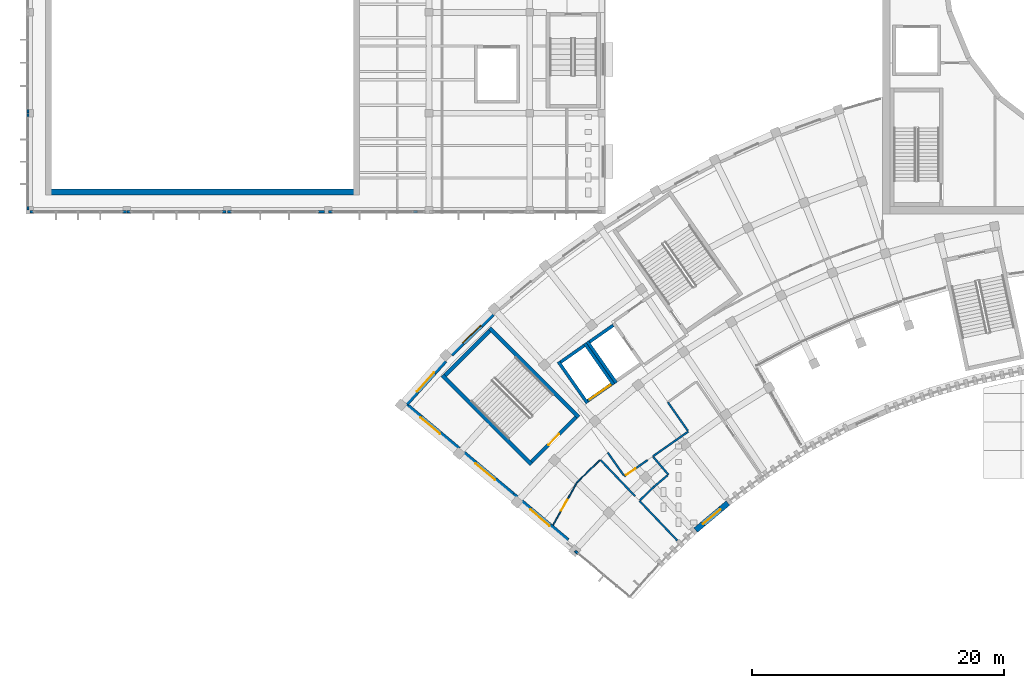
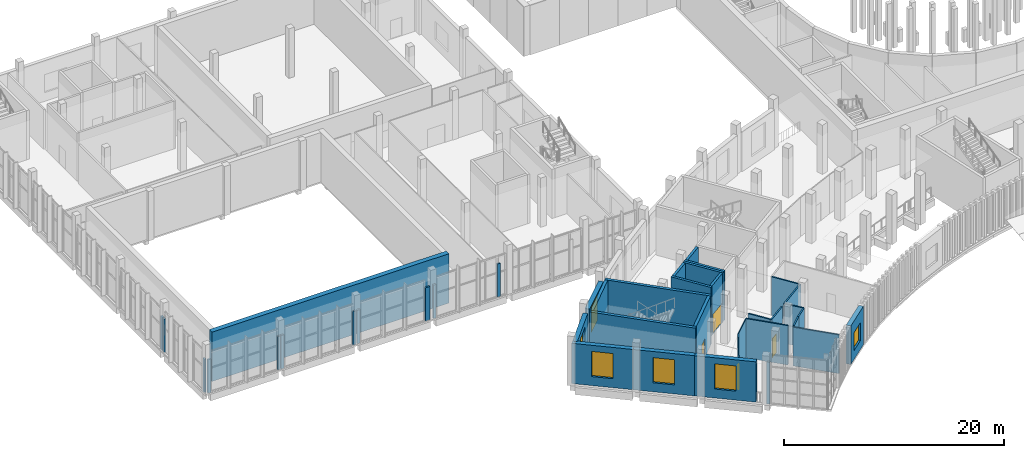
# One storey, part 53 of 112: 40 walls, 6 windows, 4 doors, 10 openings.
"""IFC4 building model written with IfcOpenShell, lengths in metres."""

from ifc_helpers import new_model, si_unit, direction, frame, frame_2d, origin, place, context, subcontext, project, spatial, rectangle, extrude, material, layer, layer_set, type_object, element, fill, save


model = new_model("IFC4")

# Units and contexts
model_context = context("Model", 3, precision=1e-05, world=origin(), true_north=direction((0.0, 1.0)))
body_context = subcontext(model_context, "Body", "Model", "MODEL_VIEW")
ifc_project = project(units=[si_unit("LENGTHUNIT", "METRE"), si_unit("AREAUNIT", "SQUARE_METRE"), si_unit("VOLUMEUNIT", "CUBIC_METRE"), si_unit("PLANEANGLEUNIT", "RADIAN"), si_unit("MASSUNIT", "GRAM", prefix="KILO")], contexts=[model_context])

# Site, building, storey
site_placement = place(None, origin())
site = spatial("IfcSite", under=ifc_project, at=site_placement, CompositionType="ELEMENT")
building_placement = place(site_placement, origin())
building = spatial("IfcBuilding", under=site, at=building_placement, Name="Lunette Opera House", CompositionType="ELEMENT")
storey_placement = place(building_placement, frame((0.0, 0.0, 6.0)))
storey = spatial("IfcBuildingStorey", under=building, at=storey_placement, Name="L01", CompositionType="ELEMENT", Elevation=6.0)

# Wall, opening, window
ifc_material_1 = material(Name="Clinker brick", Category="masonry")
ifc_layer_1 = layer(ifc_material_1, 0.449951171875)
ifc_layer_set_1 = layer_set([ifc_layer_1], Name="Clinker brick")
wall_type_1 = type_object("IfcWallType", Name="ARM END WALL 450", PredefinedType="SOLIDWALL", material=ifc_layer_set_1)
wall_1_placement = place(storey_placement, frame((50.987060546875, 38.06494140625, 0.0), z_axis=(0.0, 0.0, 1.0), x_axis=(-0.766076229388, 0.642749726384, 0.0)))
wall_1 = element("IfcWall", 1, at=wall_1_placement, inside=storey, type_object=wall_type_1, Name="Arm End Wall 450 EN-W1 L01", PredefinedType="SOLIDWALL", context=body_context, shape_type="SweptSolid", body=[
    extrude(rectangle(XDim=5.68359375, YDim=0.449951171875, at=frame_2d((2.841796875, 0.0))), origin(), (0.0, 0.0, 1.0), 4.47998046875),
])
opening_1_placement = place(wall_1_placement, frame((1.842041015625, 0.0, 1.0)))
opening_1 = element("IfcOpeningElement", 2, at=opening_1_placement, cuts=wall_1, Name="Opening FC-N2080", PredefinedType="OPENING", context=body_context, shape_type="SweptSolid", body=[
    extrude(rectangle(XDim=2.0, YDim=2.800048828125, at=frame_2d((1.0, 1.39990234375))), frame((0.0, 0.237060546875, 0.0), z_axis=(0.0, -1.0, 0.0), x_axis=(1.0, 0.0, 0.0)), (0.0, 0.0, 1.0), 0.473876953125),
])
ifc_material_2 = material(Name="Aluminium", Category="aluminium")
window_type_1 = type_object("IfcWindowType", Name="ARM WINDOW 2000 X 2800", PartitioningType="DOUBLE_PANEL_VERTICAL", PredefinedType="WINDOW", material=ifc_material_2)
window_1_placement = place(opening_1_placement, origin())
window_1 = element("IfcWindow", 3, at=window_1_placement, inside=storey, type_object=window_type_1, Name="Arm Window 2000 X 2800 EN-W1 L01", OverallHeight=2.800048828125, OverallWidth=2.0, PartitioningType="DOUBLE_PANEL_VERTICAL", PredefinedType="WINDOW", context=body_context, shape_type="SweptSolid", body=[
    extrude(rectangle(XDim=2.0, YDim=2.800048828125, at=frame_2d((1.0, 1.39990234375))), frame((0.0, 0.030029296875, 0.0), z_axis=(0.0, -1.0, 0.0), x_axis=(1.0, 0.0, 0.0)), (0.0, 0.0, 1.0), 0.06005859375),
])
fill(opening_1, window_1)

wall_2_placement = place(storey_placement, frame((46.633056640625, 41.718017578125, 0.0), z_axis=(0.0, 0.0, 1.0), x_axis=(-0.766076229388, 0.642749726384, 0.0)))
wall_2 = element("IfcWall", 4, at=wall_2_placement, inside=storey, type_object=wall_type_1, Name="Arm End Wall 450 EN-W2 L01", PredefinedType="SOLIDWALL", context=body_context, shape_type="SweptSolid", body=[
    extrude(rectangle(XDim=5.68359375, YDim=0.449951171875, at=frame_2d((2.841796875, 0.0))), origin(), (0.0, 0.0, 1.0), 4.47998046875),
])
opening_2_placement = place(wall_2_placement, frame((1.842041015625, 0.0, 1.0)))
opening_2 = element("IfcOpeningElement", 5, at=opening_2_placement, cuts=wall_2, Name="Opening FC-N2081", PredefinedType="OPENING", context=body_context, shape_type="SweptSolid", body=[
    extrude(rectangle(XDim=2.0, YDim=2.800048828125, at=frame_2d((1.0, 1.39990234375))), frame((0.0, 0.237060546875, 0.0), z_axis=(0.0, -1.0, 0.0), x_axis=(1.0, 0.0, 0.0)), (0.0, 0.0, 1.0), 0.473876953125),
])
window_2_placement = place(opening_2_placement, origin())
window_2 = element("IfcWindow", 6, at=window_2_placement, inside=storey, type_object=window_type_1, Name="Arm Window 2000 X 2800 EN-W2 L01", OverallHeight=2.800048828125, OverallWidth=2.0, PartitioningType="DOUBLE_PANEL_VERTICAL", PredefinedType="WINDOW", context=body_context, shape_type="SweptSolid", body=[
    extrude(rectangle(XDim=2.0, YDim=2.800048828125, at=frame_2d((1.0, 1.39990234375))), frame((0.0, 0.030029296875, 0.0), z_axis=(0.0, -1.0, 0.0), x_axis=(1.0, 0.0, 0.0)), (0.0, 0.0, 1.0), 0.06005859375),
])
fill(opening_2, window_2)

wall_3_placement = place(storey_placement, frame((42.279052734375, 45.37109375, 0.0), z_axis=(0.0, 0.0, 1.0), x_axis=(-0.766097380859, 0.642724515668, 0.0)))
wall_3 = element("IfcWall", 7, at=wall_3_placement, inside=storey, type_object=wall_type_1, Name="Arm End Wall 450 EN-W3 L01", PredefinedType="SOLIDWALL", context=body_context, shape_type="SweptSolid", body=[
    extrude(rectangle(XDim=5.683349609375, YDim=0.449951171875, at=frame_2d((2.841796875, 0.0))), origin(), (0.0, 0.0, 1.0), 4.47998046875),
])
opening_3_placement = place(wall_3_placement, frame((1.842041015625, 0.0, 1.0)))
opening_3 = element("IfcOpeningElement", 8, at=opening_3_placement, cuts=wall_3, Name="Opening FC-N2082", PredefinedType="OPENING", context=body_context, shape_type="SweptSolid", body=[
    extrude(rectangle(XDim=2.0, YDim=2.800048828125, at=frame_2d((1.0, 1.39990234375))), frame((0.0, 0.237060546875, 0.0), z_axis=(0.0, -1.0, 0.0), x_axis=(1.0, 0.0, 0.0)), (0.0, 0.0, 1.0), 0.473876953125),
])
window_3_placement = place(opening_3_placement, origin())
window_3 = element("IfcWindow", 9, at=window_3_placement, inside=storey, type_object=window_type_1, Name="Arm Window 2000 X 2800 EN-W3 L01", OverallHeight=2.800048828125, OverallWidth=2.0, PartitioningType="DOUBLE_PANEL_VERTICAL", PredefinedType="WINDOW", context=body_context, shape_type="SweptSolid", body=[
    extrude(rectangle(XDim=2.0, YDim=2.800048828125, at=frame_2d((1.0, 1.39990234375))), frame((0.0, 0.030029296875, 0.0), z_axis=(0.0, -1.0, 0.0), x_axis=(1.0, 0.0, 0.0)), (0.0, 0.0, 1.0), 0.06005859375),
])
fill(opening_3, window_3)

ifc_material_3 = material(Name="Clinker brick", Category="masonry")
ifc_layer_2 = layer(ifc_material_3, 0.449951171875)
ifc_layer_set_2 = layer_set([ifc_layer_2], Name="Clinker brick")
wall_type_2 = type_object("IfcWallType", Name="ARM RAIN SCREEN WALL 450", PredefinedType="SOLIDWALL", material=ifc_layer_set_2)
wall_4_placement = place(storey_placement, frame((38.18701171875, 48.967041015625, 0.0), z_axis=(0.0, 0.0, 1.0), x_axis=(0.669114598818, 0.74315923842, 0.0)))
wall_4 = element("IfcWall", 10, at=wall_4_placement, inside=storey, type_object=wall_type_2, Name="Arm Rain Screen Wall 450 BW-CW01 L01", PredefinedType="SOLIDWALL", context=body_context, shape_type="SweptSolid", body=[
    extrude(rectangle(XDim=4.589599609375, YDim=0.449951171875, at=frame_2d((2.294921875, 0.0))), origin(), (0.0, 0.0, 1.0), 4.47998046875),
])
opening_4_placement = place(wall_4_placement, frame((1.294921875, 0.0, 1.0)))
opening_4 = element("IfcOpeningElement", 11, at=opening_4_placement, cuts=wall_4, Name="Opening FC-N2108", PredefinedType="OPENING", context=body_context, shape_type="SweptSolid", body=[
    extrude(rectangle(XDim=2.0, YDim=2.800048828125, at=frame_2d((1.0, 1.39990234375))), frame((0.0, 0.237060546875, 0.0), z_axis=(0.0, -1.0, 0.0), x_axis=(1.0, 0.0, 0.0)), (0.0, 0.0, 1.0), 0.473876953125),
])
window_4_placement = place(opening_4_placement, origin())
window_4 = element("IfcWindow", 12, at=window_4_placement, inside=storey, type_object=window_type_1, Name="Arm Window 2000 X 2800 BW-CW01 L01", OverallHeight=2.800048828125, OverallWidth=2.0, PartitioningType="DOUBLE_PANEL_VERTICAL", PredefinedType="WINDOW", context=body_context, shape_type="SweptSolid", body=[
    extrude(rectangle(XDim=2.0, YDim=2.800048828125, at=frame_2d((1.0, 1.39990234375))), frame((0.0, 0.030029296875, 0.0), z_axis=(0.0, -1.0, 0.0), x_axis=(1.0, 0.0, 0.0)), (0.0, 0.0, 1.0), 0.06005859375),
])
fill(opening_4, window_4)

wall_5_placement = place(storey_placement, frame((41.743896484375, 52.881103515625, 0.0), z_axis=(0.0, 0.0, 1.0), x_axis=(0.71931528768, 0.694683753164, 0.0)))
wall_5 = element("IfcWall", 13, at=wall_5_placement, inside=storey, type_object=wall_type_2, Name="Arm Rain Screen Wall 450 BW-CW02 L01", PredefinedType="SOLIDWALL", context=body_context, shape_type="SweptSolid", body=[
    extrude(rectangle(XDim=4.589111328125, YDim=0.449951171875, at=frame_2d((2.29443359375, 0.0))), origin(), (0.0, 0.0, 1.0), 4.47998046875),
])
opening_5_placement = place(wall_5_placement, frame((1.294921875, 0.0, 1.0)))
opening_5 = element("IfcOpeningElement", 14, at=opening_5_placement, cuts=wall_5, Name="Opening FC-N2112", PredefinedType="OPENING", context=body_context, shape_type="SweptSolid", body=[
    extrude(rectangle(XDim=2.0, YDim=2.800048828125, at=frame_2d((1.0, 1.39990234375))), frame((0.0, 0.237060546875, 0.0), z_axis=(0.0, -1.0, 0.0), x_axis=(1.0, 0.0, 0.0)), (0.0, 0.0, 1.0), 0.473876953125),
])
window_5_placement = place(opening_5_placement, origin())
window_5 = element("IfcWindow", 15, at=window_5_placement, inside=storey, type_object=window_type_1, Name="Arm Window 2000 X 2800 BW-CW02 L01", OverallHeight=2.800048828125, OverallWidth=2.0, PartitioningType="DOUBLE_PANEL_VERTICAL", PredefinedType="WINDOW", context=body_context, shape_type="SweptSolid", body=[
    extrude(rectangle(XDim=2.0, YDim=2.800048828125, at=frame_2d((1.0, 1.39990234375))), frame((0.0, 0.030029296875, 0.0), z_axis=(0.0, -1.0, 0.0), x_axis=(1.0, 0.0, 0.0)), (0.0, 0.0, 1.0), 0.06005859375),
])
fill(opening_5, window_5)

# Walls
ifc_material_4 = material(Name="Plastered clay blockwork", Category="masonry")
ifc_layer_3 = layer(ifc_material_4, 0.14990234375)
ifc_layer_set_3 = layer_set([ifc_layer_3], Name="Plastered clay blockwork")
wall_type_3 = type_object("IfcWallType", Name="BLOCK PARTITION 150", PredefinedType="PARTITIONING", material=ifc_layer_set_3)
wall_6_placement = place(storey_placement, frame((59.714111328125, 38.0810546875, 0.0), z_axis=(0.0, 0.0, 1.0), x_axis=(-0.689987450542, 0.723821330229, 0.0)))
element("IfcWall", 16, at=wall_6_placement, inside=storey, type_object=wall_type_3, Name="Partition Press Room", PredefinedType="PARTITIONING", context=body_context, shape_type="SweptSolid", body=[
    extrude(rectangle(XDim=4.365478515625, YDim=0.14990234375, at=frame_2d((2.1826171875, 0.0))), origin(), (0.0, 0.0, 1.0), 4.300048828125),
])
wall_7_placement = place(storey_placement, frame((56.35693359375, 41.60302734375, 0.0), z_axis=(0.0, 0.0, 1.0), x_axis=(-0.68986253999, 0.723940381467, 0.0)))
element("IfcWall", 17, at=wall_7_placement, inside=storey, type_object=wall_type_3, Name="Partition Press Room", PredefinedType="PARTITIONING", context=body_context, shape_type="SweptSolid", body=[
    extrude(rectangle(XDim=3.99755859375, YDim=0.14990234375, at=frame_2d((1.998779296875, 0.0))), origin(), (0.0, 0.0, 1.0), 4.3798828125),
])
wall_8_placement = place(storey_placement, frame((60.5859375, 46.739990234375, 0.0), z_axis=(0.0, 0.0, 1.0), x_axis=(-0.819142019814, -0.573590752519, 0.0)))
element("IfcWall", 18, at=wall_8_placement, inside=storey, type_object=wall_type_3, Name="Partition Public WC L01", PredefinedType="PARTITIONING", context=body_context, shape_type="SweptSolid", body=[
    extrude(rectangle(XDim=3.445068359375, YDim=0.14990234375, at=frame_2d((1.72265625, 0.0))), origin(), (0.0, 0.0, 1.0), 4.3798828125),
])
wall_9_placement = place(storey_placement, frame((58.9609375, 49.06103515625, 0.0), z_axis=(0.0, 0.0, 1.0), x_axis=(0.573634626446, -0.819111296066, 0.0)))
element("IfcWall", 19, at=wall_9_placement, inside=storey, type_object=wall_type_3, Name="Partition Public WC L01", PredefinedType="PARTITIONING", context=body_context, shape_type="SweptSolid", body=[
    extrude(rectangle(XDim=2.7578125, YDim=0.14990234375, at=frame_2d((1.37890625, 0.0))), origin(), (0.0, 0.0, 1.0), 4.3798828125),
])

# Wall, opening, door
wall_10_placement = place(storey_placement, frame((57.35400390625, 44.47705078125, 0.0), z_axis=(0.0, 0.0, 1.0), x_axis=(-0.81906394147, -0.573702239654, 0.0)))
wall_10 = element("IfcWall", 20, at=wall_10_placement, inside=storey, type_object=wall_type_3, Name="Partition Accessible WC L01", PredefinedType="PARTITIONING", context=body_context, shape_type="SweptSolid", body=[
    extrude(rectangle(XDim=2.253662109375, YDim=0.14990234375, at=frame_2d((1.126953125, 0.0))), origin(), (0.0, 0.0, 1.0), 4.3798828125),
])
opening_6_placement = place(wall_10_placement, frame((1.18994140625, 0.0, 0.0)))
opening_6 = element("IfcOpeningElement", 21, at=opening_6_placement, cuts=wall_10, Name="Opening FC-D3031", PredefinedType="OPENING", context=body_context, shape_type="SweptSolid", body=[
    extrude(rectangle(XDim=0.89990234375, YDim=2.10009765625, at=frame_2d((0.449951171875, 1.050048828125))), frame((0.0, 0.0869140625, 0.0), z_axis=(0.0, -1.0, 0.0), x_axis=(1.0, 0.0, 0.0)), (0.0, 0.0, 1.0), 0.173828125),
])
ifc_material_5 = material(Name="Timber", Category="wood")
door_type_1 = type_object("IfcDoorType", Name="FLUSH DOOR 900 X 2100", OperationType="SINGLE_SWING_LEFT", PredefinedType="DOOR", material=ifc_material_5)
door_1_placement = place(opening_6_placement, origin())
door_1 = element("IfcDoor", 22, at=door_1_placement, inside=storey, type_object=door_type_1, Name="Accessible WC L01 door", OperationType="SINGLE_SWING_RIGHT", OverallHeight=2.10009765625, OverallWidth=0.89990234375, PredefinedType="DOOR", context=body_context, shape_type="SweptSolid", body=[
    extrude(rectangle(XDim=0.89990234375, YDim=2.10009765625, at=frame_2d((0.449951171875, 1.050048828125))), frame((0.0, 0.02490234375, 0.0), z_axis=(0.0, -1.0, 0.0), x_axis=(1.0, 0.0, 0.0)), (0.0, 0.0, 1.0), 0.050048828125),
])
fill(opening_6, door_1)

# Walls
wall_11_placement = place(storey_placement, frame((55.465087890625, 43.24609375, 0.0), z_axis=(0.0, 0.0, 1.0), x_axis=(-0.57393388112, 0.818901642508, 0.0)))
element("IfcWall", 23, at=wall_11_placement, inside=storey, type_object=wall_type_3, Name="Partition Accessible WC L01", PredefinedType="PARTITIONING", context=body_context, shape_type="SweptSolid", body=[
    extrude(rectangle(XDim=2.223388671875, YDim=0.14990234375, at=frame_2d((1.11181640625, 0.0))), origin(), (0.0, 0.0, 1.0), 4.3798828125),
])
wall_12_placement = place(storey_placement, frame((59.0, 43.31591796875, 0.0), z_axis=(0.0, 0.0, 1.0), x_axis=(-0.649360360175, 0.760480849617, 0.0)))
element("IfcWall", 24, at=wall_12_placement, inside=storey, type_object=wall_type_3, Name="Partition Accessible WC L01", PredefinedType="PARTITIONING", context=body_context, shape_type="SweptSolid", body=[
    extrude(rectangle(XDim=1.827880859375, YDim=0.14990234375, at=frame_2d((0.9140625, 0.0))), origin(), (0.0, 0.0, 1.0), 4.3798828125),
])
wall_13_placement = place(storey_placement, frame((56.756103515625, 41.29296875, 0.0), z_axis=(0.0, 0.0, 1.0), x_axis=(0.719406943096, 0.694588835373, 0.0)))
element("IfcWall", 25, at=wall_13_placement, inside=storey, type_object=wall_type_3, Name="Partition Accessible WC L01", PredefinedType="PARTITIONING", context=body_context, shape_type="SweptSolid", body=[
    extrude(rectangle(XDim=1.53466796875, YDim=0.14990234375, at=frame_2d((0.767333984375, 0.0))), origin(), (0.0, 0.0, 1.0), 4.3798828125),
])
wall_14_placement = place(storey_placement, frame((57.860107421875, 42.35888671875, 0.0), z_axis=(0.0, 0.0, 1.0), x_axis=(0.76587849312, 0.642985329363, 0.0)))
element("IfcWall", 26, at=wall_14_placement, inside=storey, type_object=wall_type_3, Name="Partition Accessible WC L01", PredefinedType="PARTITIONING", context=body_context, shape_type="SweptSolid", body=[
    extrude(rectangle(XDim=1.41259765625, YDim=0.14990234375, at=frame_2d((0.706298828125, 0.0))), origin(), (0.0, 0.0, 1.0), 4.3798828125),
])
ifc_material_6 = material(Name="Insulated aluminium sandwich panel", Category="aluminium")
ifc_layer_4 = layer(ifc_material_6, 0.179931640625)
ifc_layer_set_4 = layer_set([ifc_layer_4], Name="Insulated aluminium sandwich panel")
wall_type_4 = type_object("IfcWallType", Name="CURTAIN WALL INFILL 180", PredefinedType="SOLIDWALL", material=ifc_layer_set_4)
wall_15_placement = place(storey_placement, frame((51.837890625, 37.056884765625, 0.0), z_axis=(0.0, 0.0, 1.0), x_axis=(-0.766382097523, 0.642384994062, 0.0)))
element("IfcWall", 27, at=wall_15_placement, inside=storey, type_object=wall_type_4, Name="Curtain Wall Infill 180 IN3 L01", PredefinedType="SOLIDWALL", context=body_context, shape_type="SweptSolid", body=[
    extrude(rectangle(XDim=0.30517578125, YDim=0.179931640625, at=frame_2d((0.152587890625, 0.0))), origin(), (0.0, 0.0, 1.0), 4.64990234375),
])
wall_16_placement = place(storey_placement, frame((8.181884765625, 72.330078125, 0.0), z_axis=(0.0, 0.0, 1.0), x_axis=(0.0, -1.0, 0.0)))
element("IfcWall", 28, at=wall_16_placement, inside=storey, type_object=wall_type_4, Name="Curtain Wall Infill 180 IN44 L01", PredefinedType="SOLIDWALL", context=body_context, shape_type="SweptSolid", body=[
    extrude(rectangle(XDim=0.30517578125, YDim=0.179931640625, at=frame_2d((0.152587890625, 0.0))), origin(), (0.0, 0.0, 1.0), 3.699951171875),
])
wall_17_placement = place(storey_placement, frame((8.181884765625, 64.6298828125, 0.0), z_axis=(0.0, 0.0, 1.0), x_axis=(0.0, -1.0, 0.0)))
element("IfcWall", 29, at=wall_17_placement, inside=storey, type_object=wall_type_4, Name="Curtain Wall Infill 180 IN46 L01", PredefinedType="SOLIDWALL", context=body_context, shape_type="SweptSolid", body=[
    extrude(rectangle(XDim=0.304931640625, YDim=0.179931640625, at=frame_2d((0.15234375, 0.0))), origin(), (0.0, 0.0, 1.0), 3.699951171875),
])
for number, where, z_axis, x_axis, name in (
    (30, (8.181884765625, 71.669921875, 0.0), (0.0, 0.0, 1.0), (0.0, 1.0, 0.0), "Curtain Wall Infill 180 IN47 L01"),
    (31, (15.669921875, 64.18310546875, 0.0), (0.0, 0.0, 1.0), (1.0, 0.0, 0.0), "Curtain Wall Infill 180 IN48 L01"),
):
    element("IfcWall", number, at=place(storey_placement, frame(where, z_axis=z_axis, x_axis=x_axis)), inside=storey, type_object=wall_type_4, Name=name, PredefinedType="SOLIDWALL", context=body_context, shape_type="SweptSolid", body=[
        extrude(rectangle(XDim=0.30517578125, YDim=0.179931640625, at=frame_2d((0.152587890625, 0.0))), origin(), (0.0, 0.0, 1.0), 3.699951171875),
    ])
wall_18_placement = place(storey_placement, frame((8.6298828125, 64.18310546875, 0.0), z_axis=(0.0, 0.0, 1.0), x_axis=(-1.0, 0.0, 0.0)))
element("IfcWall", 32, at=wall_18_placement, inside=storey, type_object=wall_type_4, Name="Curtain Wall Infill 180 IN49 L01", PredefinedType="SOLIDWALL", context=body_context, shape_type="SweptSolid", body=[
    extrude(rectangle(XDim=0.304931640625, YDim=0.179931640625, at=frame_2d((0.15234375, 0.0))), origin(), (0.0, 0.0, 1.0), 3.699951171875),
])
for number, where, z_axis, x_axis, name in (
    (33, (23.576904296875, 64.18310546875, 0.0), (0.0, 0.0, 1.0), (1.0, 0.0, 0.0), "Curtain Wall Infill 180 IN50 L01"),
    (34, (16.330078125, 64.18310546875, 0.0), (0.0, 0.0, 1.0), (-1.0, 0.0, 0.0), "Curtain Wall Infill 180 IN51 L01"),
):
    element("IfcWall", number, at=place(storey_placement, frame(where, z_axis=z_axis, x_axis=x_axis)), inside=storey, type_object=wall_type_4, Name=name, PredefinedType="SOLIDWALL", context=body_context, shape_type="SweptSolid", body=[
        extrude(rectangle(XDim=0.30517578125, YDim=0.179931640625, at=frame_2d((0.152587890625, 0.0))), origin(), (0.0, 0.0, 1.0), 3.699951171875),
    ])
wall_19_placement = place(storey_placement, frame((31.18310546875, 64.18310546875, 0.0), z_axis=(0.0, 0.0, 1.0), x_axis=(1.0, 0.0, 0.0)))
element("IfcWall", 35, at=wall_19_placement, inside=storey, type_object=wall_type_4, Name="Curtain Wall Infill 180 IN52 L01", PredefinedType="SOLIDWALL", context=body_context, shape_type="SweptSolid", body=[
    extrude(rectangle(XDim=0.514892578125, YDim=0.179931640625, at=frame_2d((0.25732421875, 0.0))), origin(), (0.0, 0.0, 1.0), 3.699951171875),
])
wall_20_placement = place(storey_placement, frame((24.330078125, 64.18310546875, 0.0), z_axis=(0.0, 0.0, 1.0), x_axis=(-1.0, 0.0, 0.0)))
element("IfcWall", 36, at=wall_20_placement, inside=storey, type_object=wall_type_4, Name="Curtain Wall Infill 180 IN53 L01", PredefinedType="SOLIDWALL", context=body_context, shape_type="SweptSolid", body=[
    extrude(rectangle(XDim=0.30517578125, YDim=0.179931640625, at=frame_2d((0.152587890625, 0.0))), origin(), (0.0, 0.0, 1.0), 3.699951171875),
])
wall_21_placement = place(storey_placement, frame((38.7880859375, 64.18310546875, 0.0), z_axis=(0.0, 0.0, 1.0), x_axis=(1.0, 0.0, 0.0)))
element("IfcWall", 37, at=wall_21_placement, inside=storey, type_object=wall_type_4, Name="Curtain Wall Infill 180 IN54 L01", PredefinedType="SOLIDWALL", context=body_context, shape_type="SweptSolid", body=[
    extrude(rectangle(XDim=0.304931640625, YDim=0.179931640625, at=frame_2d((0.15234375, 0.0))), origin(), (0.0, 0.0, 1.0), 3.699951171875),
])
wall_22_placement = place(storey_placement, frame((32.330078125, 64.18310546875, 0.0), z_axis=(0.0, 0.0, 1.0), x_axis=(-1.0, 0.0, 0.0)))
element("IfcWall", 38, at=wall_22_placement, inside=storey, type_object=wall_type_4, Name="Curtain Wall Infill 180 IN55 L01", PredefinedType="SOLIDWALL", context=body_context, shape_type="SweptSolid", body=[
    extrude(rectangle(XDim=0.30517578125, YDim=0.179931640625, at=frame_2d((0.152587890625, 0.0))), origin(), (0.0, 0.0, 1.0), 3.699951171875),
])

# Wall, opening, window
ifc_material_7 = material(Name="Clinker brick", Category="masonry")
ifc_layer_5 = layer(ifc_material_7, 0.449951171875)
ifc_layer_set_5 = layer_set([ifc_layer_5], Name="Clinker brick")
wall_type_5 = type_object("IfcWallType", Name="ENTRANCE PORTAL WALL 450", PredefinedType="SOLIDWALL", material=ifc_layer_set_5)
wall_23_placement = place(storey_placement, frame((61.166015625, 38.910888671875, 0.0), z_axis=(0.0, 0.0, 1.0), x_axis=(0.766111561279, 0.642707612896, 0.0)))
wall_23 = element("IfcWall", 39, at=wall_23_placement, inside=storey, type_object=wall_type_5, Name="Entrance Portal Wall 450 PW6 L01", PredefinedType="SOLIDWALL", context=body_context, shape_type="SweptSolid", body=[
    extrude(rectangle(XDim=3.345458984375, YDim=0.449951171875, at=frame_2d((1.6728515625, 0.0))), origin(), (0.0, 0.0, 1.0), 4.300048828125),
])
opening_7_placement = place(wall_23_placement, frame((0.77294921875, 0.0, 1.0)))
opening_7 = element("IfcOpeningElement", 40, at=opening_7_placement, cuts=wall_23, Name="Opening FC-N2070", PredefinedType="OPENING", context=body_context, shape_type="SweptSolid", body=[
    extrude(rectangle(XDim=1.800048828125, YDim=2.0, at=frame_2d((0.89990234375, 1.0))), frame((0.0, 0.237060546875, 0.0), z_axis=(0.0, -1.0, 0.0), x_axis=(1.0, 0.0, 0.0)), (0.0, 0.0, 1.0), 0.473876953125),
])
ifc_material_8 = material(Name="Aluminium", Category="aluminium")
window_type_2 = type_object("IfcWindowType", Name="FANLIGHT 1800 X 2000", PartitioningType="SINGLE_PANEL", PredefinedType="WINDOW", material=ifc_material_8)
window_6_placement = place(opening_7_placement, origin())
window_6 = element("IfcWindow", 41, at=window_6_placement, inside=storey, type_object=window_type_2, Name="Fanlight 1800 X 2000 PW6 L01", OverallHeight=2.0, OverallWidth=1.800048828125, PartitioningType="SINGLE_PANEL", PredefinedType="WINDOW", context=body_context, shape_type="SweptSolid", body=[
    extrude(rectangle(XDim=1.800048828125, YDim=2.0, at=frame_2d((0.89990234375, 1.0))), frame((0.0, 0.030029296875, 0.0), z_axis=(0.0, -1.0, 0.0), x_axis=(1.0, 0.0, 0.0)), (0.0, 0.0, 1.0), 0.06005859375),
])
fill(opening_7, window_6)

# Walls
ifc_material_9 = material(Name="Concrete C35/45", Category="concrete")
ifc_layer_6 = layer(ifc_material_9, 0.25)
ifc_layer_set_6 = layer_set([ifc_layer_6], Name="Concrete C35/45")
wall_type_6 = type_object("IfcWallType", Name="RC LIFT SHAFT WALL 250", PredefinedType="SOLIDWALL", material=ifc_layer_set_6)
wall_24_placement = place(storey_placement, frame((54.623046875, 55.1689453125, 0.0), z_axis=(0.0, 0.0, 1.0), x_axis=(-0.819226933165, -0.573469469089, 0.0)))
element("IfcWall", 42, at=wall_24_placement, inside=storey, type_object=wall_type_6, Name="FL2 shaft wall 2", PredefinedType="SOLIDWALL", context=body_context, shape_type="SweptSolid", body=[
    extrude(rectangle(XDim=2.2998046875, YDim=0.25, at=frame_2d((1.14990234375, 0.0))), origin(), (0.0, 0.0, 1.0), 5.5),
])
for number, where, z_axis, x_axis, name in (
    (43, (52.56494140625, 53.881103515625, 0.0), (0.0, 0.0, 1.0), (0.573572956461, -0.819154480923, 0.0), "FL2 shaft wall 3"),
    (44, (54.655029296875, 50.4609375, 0.0), (0.0, 0.0, 1.0), (-0.573572956461, 0.819154480923, 0.0), "LF1 shaft wall 1"),
):
    element("IfcWall", number, at=place(storey_placement, frame(where, z_axis=z_axis, x_axis=x_axis)), inside=storey, type_object=wall_type_6, Name=name, PredefinedType="SOLIDWALL", context=body_context, shape_type="SweptSolid", body=[
        extrude(rectangle(XDim=3.99951171875, YDim=0.25, at=frame_2d((1.999755859375, 0.0))), origin(), (0.0, 0.0, 1.0), 5.5),
    ])
wall_25_placement = place(storey_placement, frame((52.330078125, 53.56298828125, 0.0), z_axis=(0.0, 0.0, 1.0), x_axis=(-0.819316661421, -0.57334126689, 0.0)))
element("IfcWall", 45, at=wall_25_placement, inside=storey, type_object=wall_type_6, Name="LF1 shaft wall 2", PredefinedType="SOLIDWALL", context=body_context, shape_type="SweptSolid", body=[
    extrude(rectangle(XDim=2.30078125, YDim=0.25, at=frame_2d((1.150390625, 0.0))), origin(), (0.0, 0.0, 1.0), 5.5),
])
wall_26_placement = place(storey_placement, frame((50.27099609375, 52.27490234375, 0.0), z_axis=(0.0, 0.0, 1.0), x_axis=(0.57360163893, -0.819134396675, 0.0)))
element("IfcWall", 46, at=wall_26_placement, inside=storey, type_object=wall_type_6, Name="LF1 shaft wall 3", PredefinedType="SOLIDWALL", context=body_context, shape_type="SweptSolid", body=[
    extrude(rectangle(XDim=3.999267578125, YDim=0.25, at=frame_2d((1.99951171875, 0.0))), origin(), (0.0, 0.0, 1.0), 5.5),
])

# Wall, opening, door
wall_27_placement = place(storey_placement, frame((52.595947265625, 49.173095703125, 0.0), z_axis=(0.0, 0.0, 1.0), x_axis=(0.819366508838, 0.573270027295, 0.0)))
wall_27 = element("IfcWall", 47, at=wall_27_placement, inside=storey, type_object=wall_type_6, Name="LF1 shaft wall 4", PredefinedType="SOLIDWALL", context=body_context, shape_type="SweptSolid", body=[
    extrude(rectangle(XDim=2.300537109375, YDim=0.25, at=frame_2d((1.150390625, 0.0))), origin(), (0.0, 0.0, 1.0), 5.5),
])
opening_8_placement = place(wall_27_placement, frame((0.199951171875, 0.0, 0.0)))
opening_8 = element("IfcOpeningElement", 48, at=opening_8_placement, cuts=wall_27, Name="Opening FC-LD015", PredefinedType="OPENING", context=body_context, shape_type="SweptSolid", body=[
    extrude(rectangle(XDim=2.0, YDim=2.199951171875, at=frame_2d((1.0, 1.10009765625))), frame((0.0, 0.136962890625, 0.0), z_axis=(0.0, -1.0, 0.0), x_axis=(1.0, 0.0, 0.0)), (0.0, 0.0, 1.0), 0.27392578125),
])
ifc_material_10 = material(Name="Stainless steel", Category="steel")
door_type_2 = type_object("IfcDoorType", Name="LIFT LANDING DOOR 2000 X 2200", OperationType="DOUBLE_DOOR_SLIDING", PredefinedType="DOOR", material=ifc_material_10)
door_2_placement = place(opening_8_placement, origin())
door_2 = element("IfcDoor", 49, at=door_2_placement, inside=storey, type_object=door_type_2, Name="LF1 lift landing door", OperationType="DOUBLE_DOOR_SLIDING", OverallHeight=2.199951171875, OverallWidth=2.0, PredefinedType="DOOR", context=body_context, shape_type="SweptSolid", body=[
    extrude(rectangle(XDim=2.0, YDim=2.199951171875, at=frame_2d((1.0, 1.10009765625))), frame((0.0, 0.02490234375, 0.0), z_axis=(0.0, -1.0, 0.0), x_axis=(1.0, 0.0, 0.0)), (0.0, 0.0, 1.0), 0.050048828125),
])
fill(opening_8, door_2)

ifc_material_11 = material(Name="Concrete C35/45", Category="concrete")
ifc_layer_7 = layer(ifc_material_11, 0.300048828125)
ifc_layer_set_7 = layer_set([ifc_layer_7], Name="Concrete C35/45")
wall_type_7 = type_object("IfcWallType", Name="RC STAIR ENCLOSURE WALL 300", PredefinedType="SOLIDWALL", material=ifc_layer_set_7)
wall_28_placement = place(storey_placement, frame((48.12890625, 44.3349609375, 0.0), z_axis=(0.0, 0.0, 1.0), x_axis=(0.707106781187, 0.707106781187, 0.0)))
wall_28 = element("IfcWall", 50, at=wall_28_placement, inside=storey, type_object=wall_type_7, Name="ST1 enclosure wall 1", PredefinedType="SOLIDWALL", context=body_context, shape_type="SweptSolid", body=[
    extrude(rectangle(XDim=5.000732421875, YDim=0.300048828125, at=frame_2d((2.50048828125, 0.0))), origin(), (0.0, 0.0, 1.0), 5.5),
])
opening_9_placement = place(wall_28_placement, frame((1.89990234375, 0.0, 0.0)))
opening_9 = element("IfcOpeningElement", 51, at=opening_9_placement, cuts=wall_28, Name="Opening FC-D7009", PredefinedType="OPENING", context=body_context, shape_type="SweptSolid", body=[
    extrude(rectangle(XDim=1.199951171875, YDim=2.10009765625, at=frame_2d((0.60009765625, 1.050048828125))), frame((0.0, 0.162109375, 0.0), z_axis=(0.0, -1.0, 0.0), x_axis=(1.0, 0.0, 0.0)), (0.0, 0.0, 1.0), 0.323974609375),
])
ifc_material_12 = material(Name="Steel", Category="steel")
door_type_3 = type_object("IfcDoorType", Name="FIRE DOOR 1200 X 2100", OperationType="SINGLE_SWING_LEFT", PredefinedType="DOOR", material=ifc_material_12)
door_3_placement = place(opening_9_placement, origin())
door_3 = element("IfcDoor", 52, at=door_3_placement, inside=storey, type_object=door_type_3, Name="ST1 stair door", OperationType="SINGLE_SWING_LEFT", OverallHeight=2.10009765625, OverallWidth=1.199951171875, PredefinedType="DOOR", context=body_context, shape_type="SweptSolid", body=[
    extrude(rectangle(XDim=1.199951171875, YDim=2.10009765625, at=frame_2d((0.60009765625, 1.050048828125))), frame((0.0, 0.02490234375, 0.0), z_axis=(0.0, -1.0, 0.0), x_axis=(1.0, 0.0, 0.0)), (0.0, 0.0, 1.0), 0.050048828125),
])
fill(opening_9, door_3)

# Walls
wall_29_placement = place(storey_placement, frame((51.876953125, 47.87109375, 0.0), z_axis=(0.0, 0.0, 1.0), x_axis=(-0.707118988363, 0.7070945738, 0.0)))
element("IfcWall", 53, at=wall_29_placement, inside=storey, type_object=wall_type_7, Name="ST1 enclosure wall 2", PredefinedType="SOLIDWALL", context=body_context, shape_type="SweptSolid", body=[
    extrude(rectangle(XDim=9.999755859375, YDim=0.300048828125, at=frame_2d((5.0, 0.0))), origin(), (0.0, 0.0, 1.0), 5.5),
])
wall_30_placement = place(storey_placement, frame((44.805908203125, 54.72998046875, 0.0), z_axis=(0.0, 0.0, 1.0), x_axis=(-0.707106781187, -0.707106781187, 0.0)))
element("IfcWall", 54, at=wall_30_placement, inside=storey, type_object=wall_type_7, Name="ST1 enclosure wall 3", PredefinedType="SOLIDWALL", context=body_context, shape_type="SweptSolid", body=[
    extrude(rectangle(XDim=5.00048828125, YDim=0.300048828125, at=frame_2d((2.500244140625, 0.0))), origin(), (0.0, 0.0, 1.0), 5.5),
])
wall_31_placement = place(storey_placement, frame((41.05810546875, 51.194091796875, 0.0), z_axis=(0.0, 0.0, 1.0), x_axis=(0.7070945738, -0.707118988363, 0.0)))
element("IfcWall", 55, at=wall_31_placement, inside=storey, type_object=wall_type_7, Name="ST1 enclosure wall 4", PredefinedType="SOLIDWALL", context=body_context, shape_type="SweptSolid", body=[
    extrude(rectangle(XDim=9.999755859375, YDim=0.300048828125, at=frame_2d((5.0, 0.0))), origin(), (0.0, 0.0, 1.0), 5.5),
])
ifc_material_13 = material(Name="Concrete C35/45", Category="concrete")
ifc_layer_8 = layer(ifc_material_13, 0.5)
ifc_layer_set_8 = layer_set([ifc_layer_8], Name="Concrete C35/45")
wall_type_8 = type_object("IfcWallType", Name="RC WALL 500", PredefinedType="SHEAR", material=ifc_layer_set_8)
wall_32_placement = place(storey_placement, frame((9.56005859375, 65.75, 0.0), z_axis=(0.0, 0.0, 1.0), x_axis=(1.0, 0.0, 0.0)))
element("IfcWall", 56, at=wall_32_placement, inside=storey, type_object=wall_type_8, Name="wall-RW-L01-HW-S-1", PredefinedType="SHEAR", context=body_context, shape_type="SweptSolid", body=[
    extrude(rectangle(XDim=24.93994140625, YDim=0.5, at=frame_2d((12.469970703125, 0.0))), origin(), (0.0, 0.0, 1.0), 5.5),
])

# Wall, opening, door
ifc_material_14 = material(Name="Gypsum board on steel studs", Category="steel")
ifc_layer_9 = layer(ifc_material_14, 0.10009765625)
ifc_layer_set_9 = layer_set([ifc_layer_9], Name="Gypsum board on steel studs")
wall_type_9 = type_object("IfcWallType", Name="STUD PARTITION 100", PredefinedType="PARTITIONING", material=ifc_layer_set_9)
wall_33_placement = place(storey_placement, frame((51.760986328125, 42.720947265625, 0.0), z_axis=(0.0, 0.0, 1.0), x_axis=(-0.488780296496, -0.872406912946, 0.0)))
wall_33 = element("IfcWall", 57, at=wall_33_placement, inside=storey, type_object=wall_type_9, Name="Partition Press Room", PredefinedType="PARTITIONING", context=body_context, shape_type="SweptSolid", body=[
    extrude(rectangle(XDim=3.907470703125, YDim=0.10009765625, at=frame_2d((1.95361328125, 0.0))), origin(), (0.0, 0.0, 1.0), 4.3798828125),
])
opening_10_placement = place(wall_33_placement, frame((1.593994140625, 0.0, 0.0)))
opening_10 = element("IfcOpeningElement", 58, at=opening_10_placement, cuts=wall_33, Name="Opening FC-D3032", PredefinedType="OPENING", context=body_context, shape_type="SweptSolid", body=[
    extrude(rectangle(XDim=1.0, YDim=2.10009765625, at=frame_2d((0.5, 1.050048828125))), frame((0.0, 0.06201171875, 0.0), z_axis=(0.0, -1.0, 0.0), x_axis=(1.0, 0.0, 0.0)), (0.0, 0.0, 1.0), 0.1240234375),
])
ifc_material_15 = material(Name="Timber", Category="wood")
door_type_4 = type_object("IfcDoorType", Name="FLUSH DOOR 1000 X 2100", OperationType="SINGLE_SWING_LEFT", PredefinedType="DOOR", material=ifc_material_15)
door_4_placement = place(opening_10_placement, origin())
door_4 = element("IfcDoor", 59, at=door_4_placement, inside=storey, type_object=door_type_4, Name="Press Room door", OperationType="SINGLE_SWING_RIGHT", OverallHeight=2.10009765625, OverallWidth=1.0, PredefinedType="DOOR", context=body_context, shape_type="SweptSolid", body=[
    extrude(rectangle(XDim=1.0, YDim=2.10009765625, at=frame_2d((0.5, 1.050048828125))), frame((0.0, 0.02490234375, 0.0), z_axis=(0.0, -1.0, 0.0), x_axis=(1.0, 0.0, 0.0)), (0.0, 0.0, 1.0), 0.050048828125),
])
fill(opening_10, door_4)

# Wall
wall_34_placement = place(storey_placement, frame((53.544921875, 44.445068359375, 0.0), z_axis=(0.0, 0.0, 1.0), x_axis=(-0.719058856753, -0.694949178376, 0.0)))
element("IfcWall", 60, at=wall_34_placement, inside=storey, type_object=wall_type_9, Name="Partition Press Room", PredefinedType="PARTITIONING", context=body_context, shape_type="SweptSolid", body=[
    extrude(rectangle(XDim=2.48095703125, YDim=0.10009765625, at=frame_2d((1.240478515625, 0.0))), origin(), (0.0, 0.0, 1.0), 4.3798828125),
])

save(model, "model.ifc")
